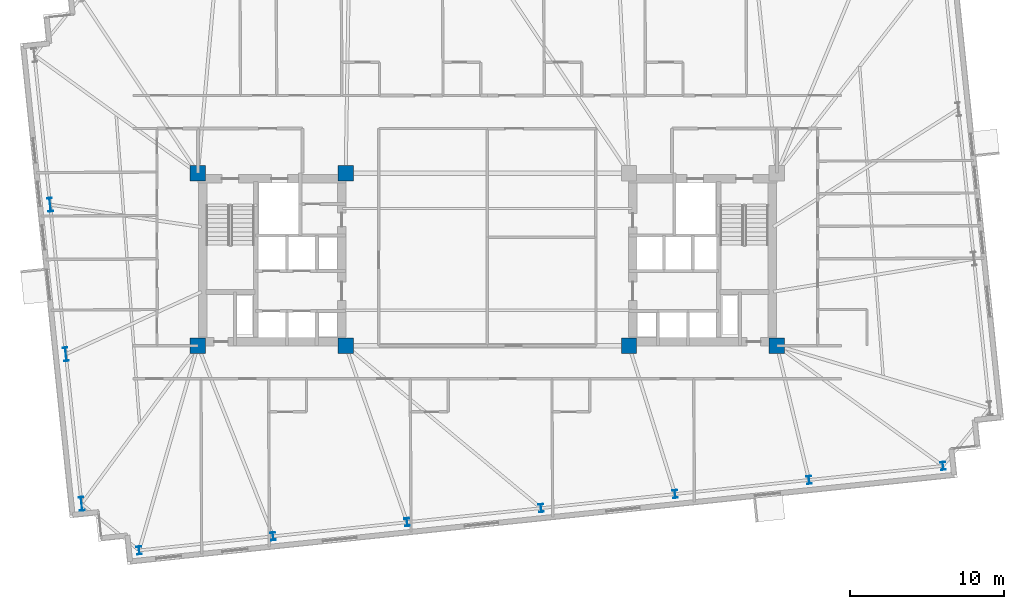
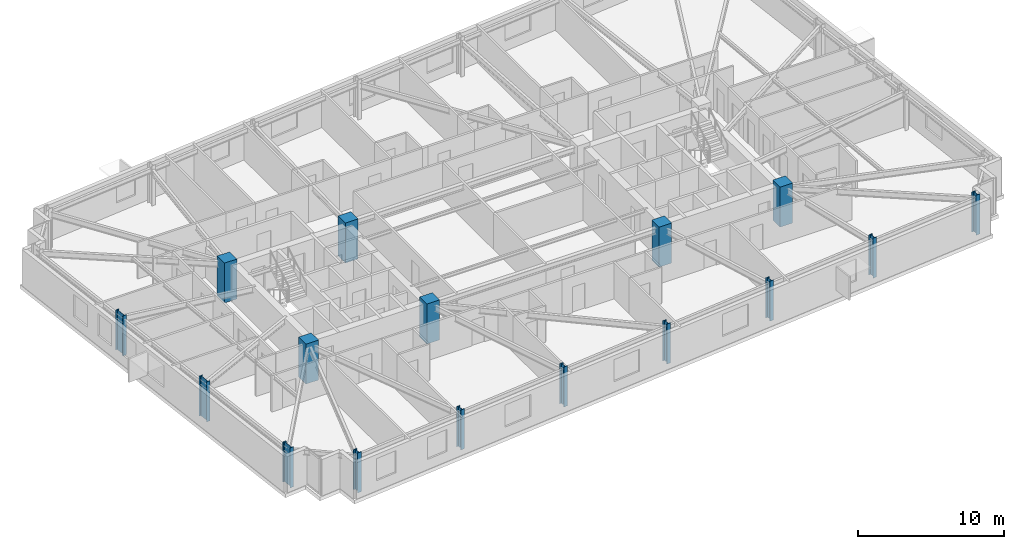
# One storey, part 1 of 19: 16 columns.
"""IFC4 building model written with IfcOpenShell, lengths in metres."""

from ifc_helpers import new_model, si_unit, direction, frame, origin, origin_2d, place, context, subcontext, project, spatial, rectangle, i_section, extrude, material, material_profile, profile_set, type_object, element, save


model = new_model("IFC4")

# Units and contexts
model_context = context("Model", 3, precision=1e-05, world=origin(), true_north=direction((0.0, 1.0)))
body_context = subcontext(model_context, "Body", "Model", "MODEL_VIEW")
ifc_project = project(units=[si_unit("LENGTHUNIT", "METRE"), si_unit("AREAUNIT", "SQUARE_METRE"), si_unit("VOLUMEUNIT", "CUBIC_METRE"), si_unit("PLANEANGLEUNIT", "RADIAN"), si_unit("MASSUNIT", "GRAM", prefix="KILO")], contexts=[model_context])

# Site, building, storey
site_placement = place(None, origin())
site = spatial("IfcSite", under=ifc_project, at=site_placement, CompositionType="ELEMENT")
building_placement = place(site_placement, origin())
building = spatial("IfcBuilding", under=site, at=building_placement, Name="Qobustan Lattice House", CompositionType="ELEMENT")
storey_placement = place(building_placement, frame((0.0, 0.0, 85.699951171875)))
storey = spatial("IfcBuildingStorey", under=building, at=storey_placement, Name="L23", CompositionType="ELEMENT", Elevation=85.699951171875)

# Columns
ifc_material_1 = material(Name="Concrete C60/75", Category="concrete")
ifc_material_profile_1 = material_profile(ifc_material_1, rectangle(XDim=1.0, YDim=1.0, at=origin_2d()), Name="RC1000x1000")
ifc_profile_set_1 = profile_set([ifc_material_profile_1], Name="Concrete C60/75")
column_type_1 = type_object("IfcColumnType", Name="COL-RC-1000", PredefinedType="COLUMN", material=ifc_profile_set_1)
for number, where, z_axis, x_axis, name in (
    (1, (-18.800048828125, -5.60009765625, 0.0), (0.0, 0.0, 1.0), (1.0, 0.0, 0.0), "L23 core mega-column CW-SW"),
    (2, (-18.800048828125, 5.60009765625, 0.0), (0.0, 0.0, 1.0), (1.0, 0.0, 0.0), "L23 core mega-column CW-NW"),
    (3, (-9.199951171875, -5.60009765625, 0.0), (0.0, 0.0, 1.0), (1.0, 0.0, 0.0), "L23 core mega-column CW-SE"),
    (4, (-9.199951171875, 5.60009765625, 0.0), (0.0, 0.0, 1.0), (1.0, 0.0, 0.0), "L23 core mega-column CW-NE"),
    (5, (9.199951171875, -5.60009765625, 0.0), (0.0, 0.0, 1.0), (1.0, 0.0, 0.0), "L23 core mega-column CE-SW"),
    (6, (18.800048828125, -5.60009765625, 0.0), (0.0, 0.0, 1.0), (1.0, 0.0, 0.0), "L23 core mega-column CE-SE"),
):
    element("IfcColumn", number, at=place(storey_placement, frame(where, z_axis=z_axis, x_axis=x_axis)), inside=storey, type_object=column_type_1, Name=name, PredefinedType="COLUMN", context=body_context, shape_type="SweptSolid", body=[
        extrude(rectangle(XDim=1.0, YDim=1.0, at=origin_2d()), origin(), (0.0, 0.0, 1.0), 3.35009765625),
    ])
ifc_material_2 = material(Name="Steel S355", Category="steel")
ifc_material_profile_2 = material_profile(ifc_material_2, i_section(OverallWidth=0.300048828125, OverallDepth=0.89990234375, WebThickness=0.0185546875, FlangeThickness=0.034912109375, FilletRadius=0.030029296875, at=origin_2d()), Name="HEB900")
ifc_profile_set_2 = profile_set([ifc_material_profile_2], Name="Steel S355")
column_type_2 = type_object("IfcColumnType", Name="COL-ST-HEB900", PredefinedType="COLUMN", material=ifc_profile_set_2)
for number, where, z_axis, x_axis, name in (
    (7, (-28.39794921875, 3.557373046875, 0.0), (0.0, 0.0, 1.0), (0.994521895368, 0.104528463268, 0.0), "L23 B2 perimeter column W2"),
    (8, (-27.377197265625, -6.156005859375, 0.0), (0.0, 0.0, 1.0), (0.994521895368, 0.104528463268, 0.0), "L23 B2 perimeter column W3"),
    (9, (-26.356201171875, -15.868896484375, 0.0), (0.0, 0.0, 1.0), (0.994521895368, 0.104528463268, 0.0), "L23 B2 perimeter column W4"),
):
    element("IfcColumn", number, at=place(storey_placement, frame(where, z_axis=z_axis, x_axis=x_axis)), inside=storey, type_object=column_type_2, Name=name, PredefinedType="COLUMN", context=body_context, shape_type="SweptSolid", body=[
        extrude(i_section(OverallWidth=0.300048828125, OverallDepth=0.89990234375, WebThickness=0.0185546875, FlangeThickness=0.034912109375, FilletRadius=0.030029296875, at=origin_2d()), origin(), (0.0, 0.0, 1.0), 3.35009765625),
    ])
ifc_material_3 = material(Name="Steel S355", Category="steel")
ifc_material_profile_3 = material_profile(ifc_material_3, i_section(OverallWidth=0.305908203125, OverallDepth=0.52392578125, WebThickness=0.02099609375, FlangeThickness=0.0400390625, FilletRadius=0.027099609375, at=origin_2d()), Name="HEM500")
ifc_profile_set_3 = profile_set([ifc_material_profile_3], Name="Steel S355")
column_type_3 = type_object("IfcColumnType", Name="COL-ST-HEM500", PredefinedType="COLUMN", material=ifc_profile_set_3)
for number, where, z_axis, x_axis, name in (
    (10, (-22.619384765625, -18.89501953125, 0.0), (0.0, 0.0, 1.0), (0.994521895368, 0.104528463268, 0.0), "L23 B2 perimeter column S1"),
    (11, (-13.91748046875, -17.98046875, 0.0), (0.0, 0.0, 1.0), (0.994521895368, 0.104528463268, 0.0), "L23 B2 perimeter column S2"),
    (12, (-5.21533203125, -17.065673828125, 0.0), (0.0, 0.0, 1.0), (0.994521895368, 0.104528463268, 0.0), "L23 B2 perimeter column S3"),
    (13, (3.48681640625, -16.151123046875, 0.0), (0.0, 0.0, 1.0), (0.994521895368, 0.104528463268, 0.0), "L23 B2 perimeter column S4"),
    (14, (12.188720703125, -15.236572265625, 0.0), (0.0, 0.0, 1.0), (0.994521895368, 0.104528463268, 0.0), "L23 B2 perimeter column S5"),
    (15, (20.890869140625, -14.322021484375, 0.0), (0.0, 0.0, 1.0), (0.994521895368, 0.104528463268, 0.0), "L23 B2 perimeter column S6"),
    (16, (29.593017578125, -13.4072265625, 0.0), (0.0, 0.0, 1.0), (0.994521895368, 0.104528463268, 0.0), "L23 B2 perimeter column S7"),
):
    element("IfcColumn", number, at=place(storey_placement, frame(where, z_axis=z_axis, x_axis=x_axis)), inside=storey, type_object=column_type_3, Name=name, PredefinedType="COLUMN", context=body_context, shape_type="SweptSolid", body=[
        extrude(i_section(OverallWidth=0.305908203125, OverallDepth=0.52392578125, WebThickness=0.02099609375, FlangeThickness=0.0400390625, FilletRadius=0.027099609375, at=origin_2d()), origin(), (0.0, 0.0, 1.0), 3.35009765625),
    ])

save(model, "model.ifc")
